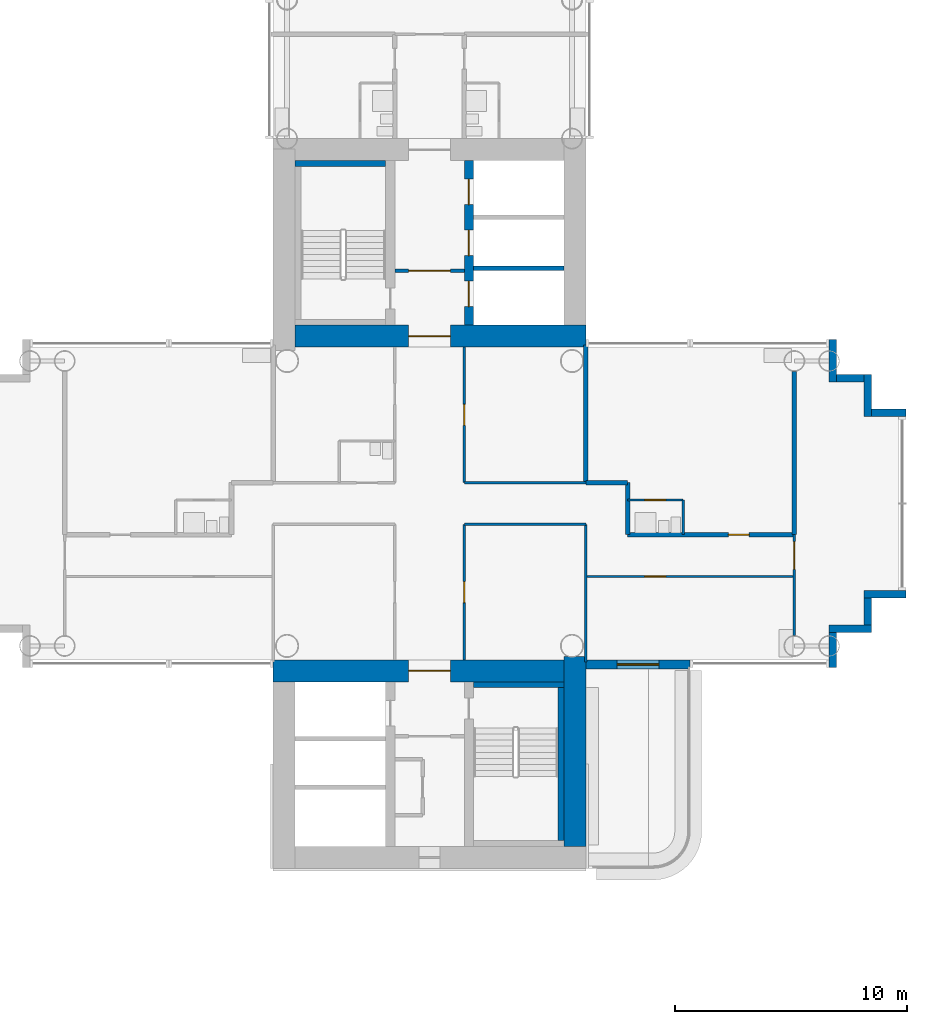
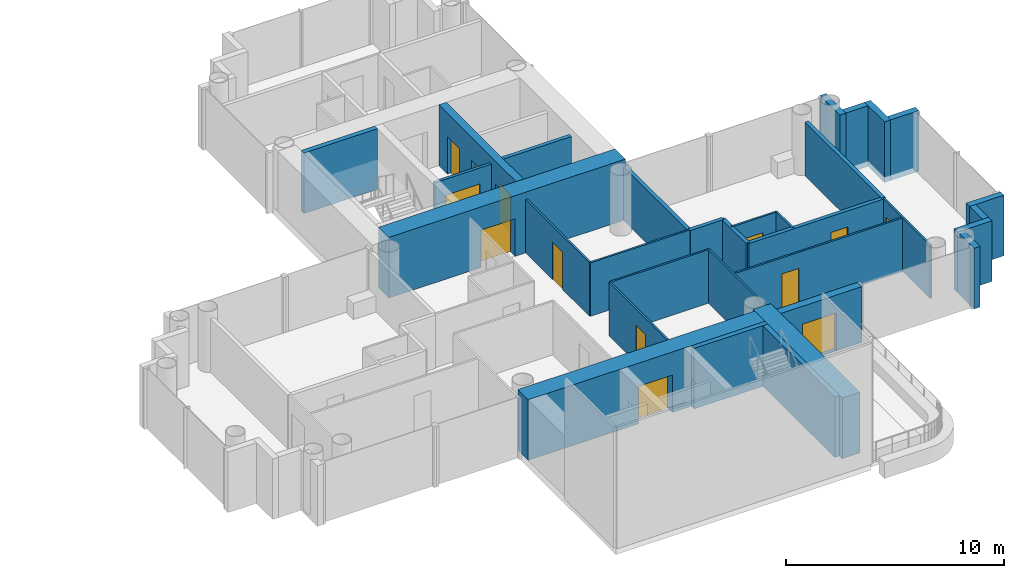
# One storey, part 13 of 21: 32 walls, 13 doors, 13 openings.
"""IFC4 building model written with IfcOpenShell, lengths in metres."""

from ifc_helpers import new_model, si_unit, direction, frame, frame_2d, origin, place, context, subcontext, project, spatial, rectangle, extrude, material, layer, layer_set, type_object, element, fill, save


model = new_model("IFC4")

# Units and contexts
model_context = context("Model", 3, precision=1e-05, world=origin(), true_north=direction((0.0, 1.0)))
body_context = subcontext(model_context, "Body", "Model", "MODEL_VIEW")
ifc_project = project(units=[si_unit("LENGTHUNIT", "METRE"), si_unit("AREAUNIT", "SQUARE_METRE"), si_unit("VOLUMEUNIT", "CUBIC_METRE"), si_unit("PLANEANGLEUNIT", "RADIAN"), si_unit("MASSUNIT", "GRAM", prefix="KILO")], contexts=[model_context])

# Site, building, storey
site_placement = place(None, origin())
site = spatial("IfcSite", under=ifc_project, at=site_placement, CompositionType="ELEMENT")
building_placement = place(site_placement, origin())
building = spatial("IfcBuilding", under=site, at=building_placement, Name="Ipe Terrace Towers", CompositionType="ELEMENT")
storey_placement = place(building_placement, frame((0.0, 0.0, 117.39990234375)))
storey = spatial("IfcBuildingStorey", under=building, at=storey_placement, Name="L32", CompositionType="ELEMENT", Elevation=117.39990234375)

# Wall, opening, door
ifc_material_1 = material(Name="Concrete C40/50 with buff precast cladding", Category="concrete")
ifc_layer_1 = layer(ifc_material_1, 0.39990234375)
ifc_layer_set_1 = layer_set([ifc_layer_1], Name="BALCONY BAY WALL 400")
wall_type_1 = type_object("IfcWallType", Name="BALCONY BAY WALL 400", PredefinedType="STANDARD", material=ifc_layer_set_1)
wall_1_placement = place(storey_placement, frame((42.75, -6.949951171875, -0.02001953125), z_axis=(0.0, 0.0, 1.0), x_axis=(1.0, 0.0, 0.0)))
wall_1 = element("IfcWall", 1, at=wall_1_placement, inside=storey, type_object=wall_type_1, Name="T2-W-L32-02a wall", PredefinedType="STANDARD", context=body_context, shape_type="SweptSolid", body=[
    extrude(rectangle(XDim=4.5, YDim=0.39990234375, at=frame_2d((2.25, 0.0))), origin(), (0.0, 0.0, 1.0), 3.1201171875),
])
opening_1_placement = place(wall_1_placement, frame((1.35009765625, 0.0, 0.02001953125)))
opening_1 = element("IfcOpeningElement", 2, at=opening_1_placement, cuts=wall_1, Name="Opening T2-D-L32-02", PredefinedType="OPENING", context=body_context, shape_type="SweptSolid", body=[
    extrude(rectangle(XDim=1.800048828125, YDim=2.10009765625, at=frame_2d((0.89990234375, 1.050048828125))), frame((0.0, 0.2099609375, 0.0), z_axis=(0.0, -1.0, 0.0), x_axis=(1.0, 0.0, 0.0)), (0.0, 0.0, 1.0), 0.419921875),
])
ifc_material_2 = material(Name="Aluminium alloy 6063-T6 framed glazed door", Category="aluminium")
door_type_1 = type_object("IfcDoorType", Name="BALCONY DOOR 1800 x 2100 RIGHT", OperationType="SINGLE_SWING_RIGHT", PredefinedType="DOOR", material=ifc_material_2)
door_1_placement = place(opening_1_placement, origin())
door_1 = element("IfcDoor", 3, at=door_1_placement, inside=storey, type_object=door_type_1, Name="DB2 door", OperationType="SINGLE_SWING_RIGHT", OverallHeight=2.10009765625, OverallWidth=1.800048828125, PredefinedType="DOOR", context=body_context, shape_type="SweptSolid", body=[
    extrude(rectangle(XDim=1.800048828125, YDim=2.10009765625, at=frame_2d((0.89990234375, 1.050048828125))), frame((0.0, 0.02490234375, 0.0), z_axis=(0.0, -1.0, 0.0), x_axis=(1.0, 0.0, 0.0)), (0.0, 0.0, 1.0), 0.050048828125),
])
fill(opening_1, door_1)

# Walls
ifc_material_3 = material(Name="Concrete C40/50 with buff precast cladding", Category="concrete")
ifc_layer_2 = layer(ifc_material_3, 0.320068359375)
ifc_layer_set_2 = layer_set([ifc_layer_2], Name="BUFF CLADDING WALL 320")
wall_type_2 = type_object("IfcWallType", Name="BUFF CLADDING WALL 320", PredefinedType="STANDARD", material=ifc_layer_set_2)
wall_2_placement = place(storey_placement, frame((53.409912109375, -7.070068359375, -0.2998046875), z_axis=(0.0, 0.0, 1.0), x_axis=(0.0, 1.0, 0.0)))
element("IfcWall", 4, at=wall_2_placement, inside=storey, type_object=wall_type_2, Name="T2-W-L32-04a wall", PredefinedType="STANDARD", context=body_context, shape_type="SweptSolid", body=[
    extrude(rectangle(XDim=1.5, YDim=0.320068359375, at=frame_2d((0.75, 0.0))), origin(), (0.0, 0.0, 1.0), 3.39990234375),
])
wall_3_placement = place(storey_placement, frame((53.25, -5.409912109375, -0.2998046875), z_axis=(0.0, 0.0, 1.0), x_axis=(1.0, 0.0, 0.0)))
element("IfcWall", 5, at=wall_3_placement, inside=storey, type_object=wall_type_2, Name="T2-W-L32-05a wall", PredefinedType="STANDARD", context=body_context, shape_type="SweptSolid", body=[
    extrude(rectangle(XDim=1.820068359375, YDim=0.320068359375, at=frame_2d((0.91015625, 0.0))), origin(), (0.0, 0.0, 1.0), 3.39990234375),
])
wall_4_placement = place(storey_placement, frame((54.909912109375, -5.25, -0.2998046875), z_axis=(0.0, 0.0, 1.0), x_axis=(0.0, 1.0, 0.0)))
element("IfcWall", 6, at=wall_4_placement, inside=storey, type_object=wall_type_2, Name="T2-W-L32-06a wall", PredefinedType="STANDARD", context=body_context, shape_type="SweptSolid", body=[
    extrude(rectangle(XDim=1.179931640625, YDim=0.320068359375, at=frame_2d((0.58984375, 0.0))), origin(), (0.0, 0.0, 1.0), 3.39990234375),
])
wall_5_placement = place(storey_placement, frame((54.75, -3.909912109375, -0.2998046875), z_axis=(0.0, 0.0, 1.0), x_axis=(1.0, 0.0, 0.0)))
element("IfcWall", 7, at=wall_5_placement, inside=storey, type_object=wall_type_2, Name="T2-W-L32-07a wall", PredefinedType="STANDARD", context=body_context, shape_type="SweptSolid", body=[
    extrude(rectangle(XDim=1.820068359375, YDim=0.320068359375, at=frame_2d((0.91015625, 0.0))), origin(), (0.0, 0.0, 1.0), 3.39990234375),
])
wall_6_placement = place(storey_placement, frame((56.570068359375, 3.909912109375, -0.2998046875), z_axis=(0.0, 0.0, 1.0), x_axis=(-1.0, 0.0, 0.0)))
element("IfcWall", 8, at=wall_6_placement, inside=storey, type_object=wall_type_2, Name="T2-W-L32-09a wall", PredefinedType="STANDARD", context=body_context, shape_type="SweptSolid", body=[
    extrude(rectangle(XDim=1.5, YDim=0.320068359375, at=frame_2d((0.75, 0.0))), origin(), (0.0, 0.0, 1.0), 3.39990234375),
])
wall_7_placement = place(storey_placement, frame((54.909912109375, 3.75, -0.2998046875), z_axis=(0.0, 0.0, 1.0), x_axis=(0.0, 1.0, 0.0)))
element("IfcWall", 9, at=wall_7_placement, inside=storey, type_object=wall_type_2, Name="T2-W-L32-10a wall", PredefinedType="STANDARD", context=body_context, shape_type="SweptSolid", body=[
    extrude(rectangle(XDim=1.820068359375, YDim=0.320068359375, at=frame_2d((0.91015625, 0.0))), origin(), (0.0, 0.0, 1.0), 3.39990234375),
])
wall_8_placement = place(storey_placement, frame((54.75, 5.409912109375, -0.2998046875), z_axis=(0.0, 0.0, 1.0), x_axis=(-1.0, 0.0, 0.0)))
element("IfcWall", 10, at=wall_8_placement, inside=storey, type_object=wall_type_2, Name="T2-W-L32-11a wall", PredefinedType="STANDARD", context=body_context, shape_type="SweptSolid", body=[
    extrude(rectangle(XDim=1.179931640625, YDim=0.320068359375, at=frame_2d((0.58984375, 0.0))), origin(), (0.0, 0.0, 1.0), 3.39990234375),
])
wall_9_placement = place(storey_placement, frame((53.409912109375, 5.25, -0.2998046875), z_axis=(0.0, 0.0, 1.0), x_axis=(0.0, 1.0, 0.0)))
element("IfcWall", 11, at=wall_9_placement, inside=storey, type_object=wall_type_2, Name="T2-W-L32-12a wall", PredefinedType="STANDARD", context=body_context, shape_type="SweptSolid", body=[
    extrude(rectangle(XDim=1.820068359375, YDim=0.320068359375, at=frame_2d((0.91015625, 0.0))), origin(), (0.0, 0.0, 1.0), 3.39990234375),
])

# Wall, opening, door
ifc_material_4 = material(Name="Gypsum board partition", Category="plasterboard")
ifc_layer_3 = layer(ifc_material_4, 0.10009765625)
ifc_layer_set_3 = layer_set([ifc_layer_3], Name="Gypsum board partition 100 mm")
wall_type_3 = type_object("IfcWallType", Name="Gypsum board partition 100 mm", PredefinedType="PARTITIONING", material=ifc_layer_set_3)
wall_10_placement = place(storey_placement, frame((51.75, -3.14990234375, 0.0), z_axis=(0.0, 0.0, 1.0), x_axis=(-1.0, 0.0, 0.0)))
wall_10 = element("IfcWall", 12, at=wall_10_placement, inside=storey, type_object=wall_type_3, Name="Gypsum board partition T2 L32 W01", PredefinedType="PARTITIONING", context=body_context, shape_type="SweptSolid", body=[
    extrude(rectangle(XDim=9.0, YDim=0.10009765625, at=frame_2d((4.5, 0.0))), origin(), (0.0, 0.0, 1.0), 3.0),
])
opening_2_placement = place(wall_10_placement, frame((5.550048828125, 0.0, 0.0)))
opening_2 = element("IfcOpeningElement", 13, at=opening_2_placement, cuts=wall_10, Name="Opening T2-Z2A-12", PredefinedType="OPENING", context=body_context, shape_type="SweptSolid", body=[
    extrude(rectangle(XDim=0.89990234375, YDim=2.10009765625, at=frame_2d((0.449951171875, 1.050048828125))), frame((0.0, 0.06005859375, 0.0), z_axis=(0.0, -1.0, 0.0), x_axis=(1.0, 0.0, 0.0)), (0.0, 0.0, 1.0), 0.1201171875),
])
ifc_material_5 = material(Name="Timber door leaf", Category="wood")
door_type_2 = type_object("IfcDoorType", Name="Lounge door 900 x 2100", OperationType="NOTDEFINED", PredefinedType="DOOR", material=ifc_material_5)
door_2_placement = place(opening_2_placement, origin())
door_2 = element("IfcDoor", 14, at=door_2_placement, inside=storey, type_object=door_type_2, Name="Lounge door T2-Z2A-12", OperationType="SINGLE_SWING_LEFT", OverallHeight=2.10009765625, OverallWidth=0.89990234375, PredefinedType="DOOR", context=body_context, shape_type="SweptSolid", body=[
    extrude(rectangle(XDim=0.89990234375, YDim=2.10009765625, at=frame_2d((0.449951171875, 1.050048828125))), frame((0.0, 0.02490234375, 0.0), z_axis=(0.0, -1.0, 0.0), x_axis=(1.0, 0.0, 0.0)), (0.0, 0.0, 1.0), 0.050048828125),
])
fill(opening_2, door_2)

# Wall
wall_11_placement = place(storey_placement, frame((42.75, -0.89990234375, 0.0), z_axis=(0.0, 0.0, 1.0), x_axis=(-1.0, 0.0, 0.0)))
element("IfcWall", 15, at=wall_11_placement, inside=storey, type_object=wall_type_3, Name="Gypsum board partition T2 L32 W05", PredefinedType="PARTITIONING", context=body_context, shape_type="SweptSolid", body=[
    extrude(rectangle(XDim=5.25, YDim=0.10009765625, at=frame_2d((2.625, 0.0))), origin(), (0.0, 0.0, 1.0), 3.0),
])

# Wall, opening, door
wall_12_placement = place(storey_placement, frame((46.949951171875, 0.14990234375, 0.0), z_axis=(0.0, 0.0, 1.0), x_axis=(-1.0, 0.0, 0.0)))
wall_12 = element("IfcWall", 16, at=wall_12_placement, inside=storey, type_object=wall_type_3, Name="Gypsum board partition T2 L32 W07", PredefinedType="PARTITIONING", context=body_context, shape_type="SweptSolid", body=[
    extrude(rectangle(XDim=2.39990234375, YDim=0.10009765625, at=frame_2d((1.199951171875, 0.0))), origin(), (0.0, 0.0, 1.0), 3.0),
])
opening_3_placement = place(wall_12_placement, frame((0.75, 0.0, 0.0)))
opening_3 = element("IfcOpeningElement", 17, at=opening_3_placement, cuts=wall_12, Name="Opening T2-Z2A-11", PredefinedType="OPENING", context=body_context, shape_type="SweptSolid", body=[
    extrude(rectangle(XDim=0.89990234375, YDim=2.10009765625, at=frame_2d((0.449951171875, 1.050048828125))), frame((0.0, 0.06005859375, 0.0), z_axis=(0.0, -1.0, 0.0), x_axis=(1.0, 0.0, 0.0)), (0.0, 0.0, 1.0), 0.1201171875),
])
ifc_material_6 = material(Name="Timber door leaf", Category="wood")
door_type_3 = type_object("IfcDoorType", Name="Bathroom door 900 x 2100", OperationType="NOTDEFINED", PredefinedType="DOOR", material=ifc_material_6)
door_3_placement = place(opening_3_placement, origin())
door_3 = element("IfcDoor", 18, at=door_3_placement, inside=storey, type_object=door_type_3, Name="Bathroom door T2-Z2A-11", OperationType="SINGLE_SWING_LEFT", OverallHeight=2.10009765625, OverallWidth=0.89990234375, PredefinedType="DOOR", context=body_context, shape_type="SweptSolid", body=[
    extrude(rectangle(XDim=0.89990234375, YDim=2.10009765625, at=frame_2d((0.449951171875, 1.050048828125))), frame((0.0, 0.02490234375, 0.0), z_axis=(0.0, -1.0, 0.0), x_axis=(1.0, 0.0, 0.0)), (0.0, 0.0, 1.0), 0.050048828125),
])
fill(opening_3, door_3)

# Wall
wall_13_placement = place(storey_placement, frame((42.75, 0.89990234375, 0.0), z_axis=(0.0, 0.0, 1.0), x_axis=(-1.0, 0.0, 0.0)))
element("IfcWall", 19, at=wall_13_placement, inside=storey, type_object=wall_type_3, Name="Gypsum board partition T2 L32 W09", PredefinedType="PARTITIONING", context=body_context, shape_type="SweptSolid", body=[
    extrude(rectangle(XDim=5.25, YDim=0.10009765625, at=frame_2d((2.625, 0.0))), origin(), (0.0, 0.0, 1.0), 3.0),
])

# Wall, opening, door
wall_14_placement = place(storey_placement, frame((51.75, -5.699951171875, 0.0), z_axis=(0.0, 0.0, 1.0), x_axis=(0.0, 1.0, 0.0)))
wall_14 = element("IfcWall", 20, at=wall_14_placement, inside=storey, type_object=wall_type_3, Name="Gypsum board partition T2 L32 W19", PredefinedType="PARTITIONING", context=body_context, shape_type="SweptSolid", body=[
    extrude(rectangle(XDim=4.349853515625, YDim=0.10009765625, at=frame_2d((2.1748046875, 0.0))), origin(), (0.0, 0.0, 1.0), 3.0),
])
opening_4_placement = place(wall_14_placement, frame((2.85009765625, 0.0, 0.0)))
opening_4 = element("IfcOpeningElement", 21, at=opening_4_placement, cuts=wall_14, Name="Opening T2-Z2A-13", PredefinedType="OPENING", context=body_context, shape_type="SweptSolid", body=[
    extrude(rectangle(XDim=1.199951171875, YDim=2.10009765625, at=frame_2d((0.60009765625, 1.050048828125))), frame((0.0, 0.06005859375, 0.0), z_axis=(0.0, -1.0, 0.0), x_axis=(1.0, 0.0, 0.0)), (0.0, 0.0, 1.0), 0.1201171875),
])
ifc_material_7 = material(Name="Timber door leaf", Category="wood")
door_type_4 = type_object("IfcDoorType", Name="Lounge door 1200 x 2100", OperationType="NOTDEFINED", PredefinedType="DOOR", material=ifc_material_7)
door_4_placement = place(opening_4_placement, origin())
door_4 = element("IfcDoor", 22, at=door_4_placement, inside=storey, type_object=door_type_4, Name="Lounge door T2-Z2A-13", OperationType="SINGLE_SWING_RIGHT", OverallHeight=2.10009765625, OverallWidth=1.199951171875, PredefinedType="DOOR", context=body_context, shape_type="SweptSolid", body=[
    extrude(rectangle(XDim=1.199951171875, YDim=2.10009765625, at=frame_2d((0.60009765625, 1.050048828125))), frame((0.0, 0.02490234375, 0.0), z_axis=(0.0, -1.0, 0.0), x_axis=(1.0, 0.0, 0.0)), (0.0, 0.0, 1.0), 0.050048828125),
])
fill(opening_4, door_4)

# Walls
wall_15_placement = place(storey_placement, frame((46.949951171875, -1.35009765625, 0.0), z_axis=(0.0, 0.0, 1.0), x_axis=(0.0, 1.0, 0.0)))
element("IfcWall", 23, at=wall_15_placement, inside=storey, type_object=wall_type_3, Name="Gypsum board partition T2 L32 W21", PredefinedType="PARTITIONING", context=body_context, shape_type="SweptSolid", body=[
    extrude(rectangle(XDim=1.5, YDim=0.10009765625, at=frame_2d((0.75, 0.0))), origin(), (0.0, 0.0, 1.0), 3.0),
])
wall_16_placement = place(storey_placement, frame((42.75, -6.85009765625, 0.0), z_axis=(0.0, 0.0, 1.0), x_axis=(0.0, 1.0, 0.0)))
element("IfcWall", 24, at=wall_16_placement, inside=storey, type_object=wall_type_3, Name="Gypsum board partition T2 L32 W23", PredefinedType="PARTITIONING", context=body_context, shape_type="SweptSolid", body=[
    extrude(rectangle(XDim=5.9501953125, YDim=0.10009765625, at=frame_2d((2.97509765625, 0.0))), origin(), (0.0, 0.0, 1.0), 3.0),
])

# Wall, opening, door
wall_17_placement = place(storey_placement, frame((37.5, -6.75, 0.0), z_axis=(0.0, 0.0, 1.0), x_axis=(0.0, 1.0, 0.0)))
wall_17 = element("IfcWall", 25, at=wall_17_placement, inside=storey, type_object=wall_type_3, Name="Gypsum board partition T2 L32 W26", PredefinedType="PARTITIONING", context=body_context, shape_type="SweptSolid", body=[
    extrude(rectangle(XDim=5.85009765625, YDim=0.10009765625, at=frame_2d((2.925048828125, 0.0))), origin(), (0.0, 0.0, 1.0), 3.0),
])
opening_5_placement = place(wall_17_placement, frame((2.47509765625, 0.0, 0.0)))
opening_5 = element("IfcOpeningElement", 26, at=opening_5_placement, cuts=wall_17, Name="Opening T2-Z2A-04", PredefinedType="OPENING", context=body_context, shape_type="SweptSolid", body=[
    extrude(rectangle(XDim=0.89990234375, YDim=2.10009765625, at=frame_2d((0.449951171875, 1.050048828125))), frame((0.0, 0.06005859375, 0.0), z_axis=(0.0, -1.0, 0.0), x_axis=(1.0, 0.0, 0.0)), (0.0, 0.0, 1.0), 0.1201171875),
])
door_5_placement = place(opening_5_placement, origin())
door_5 = element("IfcDoor", 27, at=door_5_placement, inside=storey, type_object=door_type_2, Name="Lounge door T2-Z2A-04", OperationType="SINGLE_SWING_LEFT", OverallHeight=2.10009765625, OverallWidth=0.89990234375, PredefinedType="DOOR", context=body_context, shape_type="SweptSolid", body=[
    extrude(rectangle(XDim=0.89990234375, YDim=2.10009765625, at=frame_2d((0.449951171875, 1.050048828125))), frame((0.0, 0.02490234375, 0.0), z_axis=(0.0, -1.0, 0.0), x_axis=(1.0, 0.0, 0.0)), (0.0, 0.0, 1.0), 0.050048828125),
])
fill(opening_5, door_5)

wall_18_placement = place(storey_placement, frame((37.5, 0.89990234375, 0.0), z_axis=(0.0, 0.0, 1.0), x_axis=(0.0, 1.0, 0.0)))
wall_18 = element("IfcWall", 28, at=wall_18_placement, inside=storey, type_object=wall_type_3, Name="Gypsum board partition T2 L32 W27", PredefinedType="PARTITIONING", context=body_context, shape_type="SweptSolid", body=[
    extrude(rectangle(XDim=5.85009765625, YDim=0.10009765625, at=frame_2d((2.925048828125, 0.0))), origin(), (0.0, 0.0, 1.0), 3.0),
])
opening_6_placement = place(wall_18_placement, frame((2.47509765625, 0.0, 0.0)))
opening_6 = element("IfcOpeningElement", 29, at=opening_6_placement, cuts=wall_18, Name="Opening T2-Z2A-05", PredefinedType="OPENING", context=body_context, shape_type="SweptSolid", body=[
    extrude(rectangle(XDim=0.89990234375, YDim=2.10009765625, at=frame_2d((0.449951171875, 1.050048828125))), frame((0.0, 0.06005859375, 0.0), z_axis=(0.0, -1.0, 0.0), x_axis=(1.0, 0.0, 0.0)), (0.0, 0.0, 1.0), 0.1201171875),
])
door_6_placement = place(opening_6_placement, origin())
door_6 = element("IfcDoor", 30, at=door_6_placement, inside=storey, type_object=door_type_2, Name="Lounge door T2-Z2A-05", OperationType="SINGLE_SWING_RIGHT", OverallHeight=2.10009765625, OverallWidth=0.89990234375, PredefinedType="DOOR", context=body_context, shape_type="SweptSolid", body=[
    extrude(rectangle(XDim=0.89990234375, YDim=2.10009765625, at=frame_2d((0.449951171875, 1.050048828125))), frame((0.0, 0.02490234375, 0.0), z_axis=(0.0, -1.0, 0.0), x_axis=(1.0, 0.0, 0.0)), (0.0, 0.0, 1.0), 0.050048828125),
])
fill(opening_6, door_6)

ifc_material_8 = material(Name="Gypsum board partition", Category="plasterboard")
ifc_layer_4 = layer(ifc_material_8, 0.14990234375)
ifc_layer_set_4 = layer_set([ifc_layer_4], Name="Gypsum board partition 150 mm")
wall_type_4 = type_object("IfcWallType", Name="Gypsum board partition 150 mm", PredefinedType="PARTITIONING", material=ifc_layer_set_4)
wall_19_placement = place(storey_placement, frame((37.5, 10.050048828125, 0.0), z_axis=(0.0, 0.0, 1.0), x_axis=(-1.0, 0.0, 0.0)))
wall_19 = element("IfcWall", 31, at=wall_19_placement, inside=storey, type_object=wall_type_4, Name="Gypsum board partition T2 L32 t2c1-lobby-wall", PredefinedType="PARTITIONING", context=body_context, shape_type="SweptSolid", body=[
    extrude(rectangle(XDim=3.0, YDim=0.14990234375, at=frame_2d((1.5, 0.0))), origin(), (0.0, 0.0, 1.0), 3.0),
])
opening_7_placement = place(wall_19_placement, frame((0.60009765625, 0.0, 0.0)))
opening_7 = element("IfcOpeningElement", 32, at=opening_7_placement, cuts=wall_19, Name="Opening T2C1-VD", PredefinedType="OPENING", context=body_context, shape_type="SweptSolid", body=[
    extrude(rectangle(XDim=1.800048828125, YDim=2.10009765625, at=frame_2d((0.89990234375, 1.050048828125))), frame((0.0, 0.0849609375, 0.0), z_axis=(0.0, -1.0, 0.0), x_axis=(1.0, 0.0, 0.0)), (0.0, 0.0, 1.0), 0.169921875),
])
ifc_material_9 = material(Name="Fire-rated timber door leaf", Category="wood")
door_type_5 = type_object("IfcDoorType", Name="Lobby door 1800 x 2100 FD60", OperationType="NOTDEFINED", PredefinedType="DOOR", material=ifc_material_9)
door_7_placement = place(opening_7_placement, origin())
door_7 = element("IfcDoor", 33, at=door_7_placement, inside=storey, type_object=door_type_5, Name="Lobby door T2C1-VD", OperationType="SINGLE_SWING_LEFT", OverallHeight=2.10009765625, OverallWidth=1.800048828125, PredefinedType="DOOR", context=body_context, shape_type="SweptSolid", body=[
    extrude(rectangle(XDim=1.800048828125, YDim=2.10009765625, at=frame_2d((0.89990234375, 1.050048828125))), frame((0.0, 0.02490234375, 0.0), z_axis=(0.0, -1.0, 0.0), x_axis=(1.0, 0.0, 0.0)), (0.0, 0.0, 1.0), 0.050048828125),
])
fill(opening_7, door_7)

# Wall
ifc_material_10 = material(Name="Gypsum board party wall", Category="plasterboard")
ifc_layer_5 = layer(ifc_material_10, 0.199951171875)
ifc_layer_set_5 = layer_set([ifc_layer_5], Name="Gypsum board party wall 200 mm")
wall_type_5 = type_object("IfcWallType", Name="Gypsum board party wall 200 mm", PredefinedType="SOLIDWALL", material=ifc_layer_set_5)
wall_20_placement = place(storey_placement, frame((41.800048828125, 10.14990234375, 0.0), z_axis=(0.0, 0.0, 1.0), x_axis=(-1.0, 0.0, 0.0)))
element("IfcWall", 34, at=wall_20_placement, inside=storey, type_object=wall_type_5, Name="Gypsum board party wall T2 L32 t2c1-shaft-div1", PredefinedType="SOLIDWALL", context=body_context, shape_type="SweptSolid", body=[
    extrude(rectangle(XDim=3.900146484375, YDim=0.199951171875, at=frame_2d((1.9501953125, 0.0))), origin(), (0.0, 0.0, 1.0), 3.0),
])

# Wall, opening, door
wall_21_placement = place(storey_placement, frame((51.75, -1.35009765625, 0.0), z_axis=(0.0, 0.0, 1.0), x_axis=(-1.0, 0.0, 0.0)))
wall_21 = element("IfcWall", 35, at=wall_21_placement, inside=storey, type_object=wall_type_5, Name="Gypsum board party wall T2 L32 W03", PredefinedType="SOLIDWALL", context=body_context, shape_type="SweptSolid", body=[
    extrude(rectangle(XDim=7.199951171875, YDim=0.199951171875, at=frame_2d((3.60009765625, 0.0))), origin(), (0.0, 0.0, 1.0), 3.0),
])
opening_8_placement = place(wall_21_placement, frame((1.949951171875, 0.0, 0.0)))
opening_8 = element("IfcOpeningElement", 36, at=opening_8_placement, cuts=wall_21, Name="Opening T2-Z2A-10", PredefinedType="OPENING", context=body_context, shape_type="SweptSolid", body=[
    extrude(rectangle(XDim=0.89990234375, YDim=2.10009765625, at=frame_2d((0.449951171875, 1.050048828125))), frame((0.0, 0.10986328125, 0.0), z_axis=(0.0, -1.0, 0.0), x_axis=(1.0, 0.0, 0.0)), (0.0, 0.0, 1.0), 0.219970703125),
])
ifc_material_11 = material(Name="Fire-rated timber door leaf", Category="wood")
door_type_6 = type_object("IfcDoorType", Name="Flat entrance door 900 x 2100 FD30S", OperationType="NOTDEFINED", PredefinedType="DOOR", material=ifc_material_11)
door_8_placement = place(opening_8_placement, origin())
door_8 = element("IfcDoor", 37, at=door_8_placement, inside=storey, type_object=door_type_6, Name="Flat entrance door T2-Z2A-10", OperationType="SINGLE_SWING_LEFT", OverallHeight=2.10009765625, OverallWidth=0.89990234375, PredefinedType="DOOR", context=body_context, shape_type="SweptSolid", body=[
    extrude(rectangle(XDim=0.89990234375, YDim=2.10009765625, at=frame_2d((0.449951171875, 1.050048828125))), frame((0.0, 0.02490234375, 0.0), z_axis=(0.0, -1.0, 0.0), x_axis=(1.0, 0.0, 0.0)), (0.0, 0.0, 1.0), 0.050048828125),
])
fill(opening_8, door_8)

# Walls
wall_22_placement = place(storey_placement, frame((44.550048828125, 0.89990234375, 0.0), z_axis=(0.0, 0.0, 1.0), x_axis=(-1.0, 0.0, 0.0)))
element("IfcWall", 38, at=wall_22_placement, inside=storey, type_object=wall_type_5, Name="Gypsum board party wall T2 L32 W11", PredefinedType="SOLIDWALL", context=body_context, shape_type="SweptSolid", body=[
    extrude(rectangle(XDim=1.800048828125, YDim=0.199951171875, at=frame_2d((0.89990234375, 0.0))), origin(), (0.0, 0.0, 1.0), 3.0),
])
wall_23_placement = place(storey_placement, frame((51.75, -1.35009765625, 0.0), z_axis=(0.0, 0.0, 1.0), x_axis=(0.0, 1.0, 0.0)))
element("IfcWall", 39, at=wall_23_placement, inside=storey, type_object=wall_type_5, Name="Gypsum board party wall T2 L32 W20", PredefinedType="SOLIDWALL", context=body_context, shape_type="SweptSolid", body=[
    extrude(rectangle(XDim=7.050048828125, YDim=0.199951171875, at=frame_2d((3.52490234375, 0.0))), origin(), (0.0, 0.0, 1.0), 3.0),
])
wall_24_placement = place(storey_placement, frame((44.550048828125, -1.35009765625, 0.0), z_axis=(0.0, 0.0, 1.0), x_axis=(0.0, 1.0, 0.0)))
element("IfcWall", 40, at=wall_24_placement, inside=storey, type_object=wall_type_5, Name="Gypsum board party wall T2 L32 W22", PredefinedType="SOLIDWALL", context=body_context, shape_type="SweptSolid", body=[
    extrude(rectangle(XDim=2.25, YDim=0.199951171875, at=frame_2d((1.125, 0.0))), origin(), (0.0, 0.0, 1.0), 3.0),
])
wall_25_placement = place(storey_placement, frame((42.75, 0.89990234375, 0.0), z_axis=(0.0, 0.0, 1.0), x_axis=(0.0, 1.0, 0.0)))
element("IfcWall", 41, at=wall_25_placement, inside=storey, type_object=wall_type_5, Name="Gypsum board party wall T2 L32 W24", PredefinedType="SOLIDWALL", context=body_context, shape_type="SweptSolid", body=[
    extrude(rectangle(XDim=5.9501953125, YDim=0.199951171875, at=frame_2d((2.97509765625, 0.0))), origin(), (0.0, 0.0, 1.0), 3.0),
])
ifc_material_12 = material(Name="Concrete C50/60", Category="concrete")
ifc_layer_6 = layer(ifc_material_12, 0.25)
ifc_layer_set_6 = layer_set([ifc_layer_6], Name="RW250 CORE INFILL WALL 250 C50-60")
wall_type_6 = type_object("IfcWallType", Name="RW250 CORE INFILL WALL 250 C50-60", PredefinedType="SHEAR", material=ifc_layer_set_6)
wall_26_placement = place(storey_placement, frame((34.10009765625, 14.675048828125, 0.0), z_axis=(0.0, 0.0, 1.0), x_axis=(-1.0, 0.0, 0.0)))
element("IfcWall", 42, at=wall_26_placement, inside=storey, type_object=wall_type_6, Name="Core infill wall T2-C1-far", PredefinedType="SHEAR", context=body_context, shape_type="SweptSolid", body=[
    extrude(rectangle(XDim=3.900146484375, YDim=0.25, at=frame_2d((1.9501953125, 0.0))), origin(), (0.0, 0.0, 1.0), 3.400146484375),
])
wall_27_placement = place(storey_placement, frame((41.675048828125, -7.949951171875, 0.0), z_axis=(0.0, 0.0, 1.0), x_axis=(0.0, -1.0, 0.0)))
element("IfcWall", 43, at=wall_27_placement, inside=storey, type_object=wall_type_6, Name="Core infill wall T2-C2-back", PredefinedType="SHEAR", context=body_context, shape_type="SweptSolid", body=[
    extrude(rectangle(XDim=6.60009765625, YDim=0.25, at=frame_2d((3.300048828125, 0.0))), origin(), (0.0, 0.0, 1.0), 3.400146484375),
])
wall_28_placement = place(storey_placement, frame((37.89990234375, -7.824951171875, 0.0), z_axis=(0.0, 0.0, 1.0), x_axis=(1.0, 0.0, 0.0)))
element("IfcWall", 44, at=wall_28_placement, inside=storey, type_object=wall_type_6, Name="Core infill wall T2-C2-near", PredefinedType="SHEAR", context=body_context, shape_type="SweptSolid", body=[
    extrude(rectangle(XDim=3.900146484375, YDim=0.25, at=frame_2d((1.9501953125, 0.0))), origin(), (0.0, 0.0, 1.0), 3.400146484375),
])

# Wall, openings, doors
ifc_material_13 = material(Name="Concrete C50/60", Category="concrete")
ifc_layer_7 = layer(ifc_material_13, 0.39990234375)
ifc_layer_set_7 = layer_set([ifc_layer_7], Name="RW400 CORE SPINE WALL 400 C50-60")
wall_type_7 = type_object("IfcWallType", Name="RW400 CORE SPINE WALL 400 C50-60", PredefinedType="SHEAR", material=ifc_layer_set_7)
wall_29_placement = place(storey_placement, frame((37.699951171875, 7.699951171875, 0.0), z_axis=(0.0, 0.0, 1.0), x_axis=(0.0, 1.0, 0.0)))
wall_29 = element("IfcWall", 45, at=wall_29_placement, inside=storey, type_object=wall_type_7, Name="Core spine wall T2-C1-Z2-SW2", PredefinedType="SHEAR", context=body_context, shape_type="SweptSolid", body=[
    extrude(rectangle(XDim=7.10009765625, YDim=0.39990234375, at=frame_2d((3.550048828125, 0.0))), origin(), (0.0, 0.0, 1.0), 3.400146484375),
])
opening_9_placement = place(wall_29_placement, frame((0.800048828125, 0.0, 0.0)))
opening_9 = element("IfcOpeningElement", 46, at=opening_9_placement, cuts=wall_29, Name="Opening T2C1-LD1", PredefinedType="OPENING", context=body_context, shape_type="SweptSolid", body=[
    extrude(rectangle(XDim=1.10009765625, YDim=2.10009765625, at=frame_2d((0.550048828125, 1.050048828125))), frame((0.0, 0.2099609375, 0.0), z_axis=(0.0, -1.0, 0.0), x_axis=(1.0, 0.0, 0.0)), (0.0, 0.0, 1.0), 0.419921875),
])
opening_10_placement = place(wall_29_placement, frame((3.0, 0.0, 0.0)))
opening_10 = element("IfcOpeningElement", 47, at=opening_10_placement, cuts=wall_29, Name="Opening T2C1-LD2", PredefinedType="OPENING", context=body_context, shape_type="SweptSolid", body=[
    extrude(rectangle(XDim=1.10009765625, YDim=2.10009765625, at=frame_2d((0.550048828125, 1.050048828125))), frame((0.0, 0.2099609375, 0.0), z_axis=(0.0, -1.0, 0.0), x_axis=(1.0, 0.0, 0.0)), (0.0, 0.0, 1.0), 0.419921875),
])
opening_11_placement = place(wall_29_placement, frame((5.199951171875, 0.0, 0.0)))
opening_11 = element("IfcOpeningElement", 48, at=opening_11_placement, cuts=wall_29, Name="Opening T2C1-LD3", PredefinedType="OPENING", context=body_context, shape_type="SweptSolid", body=[
    extrude(rectangle(XDim=1.10009765625, YDim=2.10009765625, at=frame_2d((0.550048828125, 1.050048828125))), frame((0.0, 0.2099609375, 0.0), z_axis=(0.0, -1.0, 0.0), x_axis=(1.0, 0.0, 0.0)), (0.0, 0.0, 1.0), 0.419921875),
])
ifc_material_14 = material(Name="Fire-rated timber door leaf", Category="wood")
door_type_7 = type_object("IfcDoorType", Name="Sliding door 1100 x 2100 FD60", OperationType="SLIDING_TO_LEFT", PredefinedType="DOOR", material=ifc_material_14)
door_9_placement = place(opening_9_placement, origin())
door_9 = element("IfcDoor", 49, at=door_9_placement, inside=storey, type_object=door_type_7, Name="Sliding door T2C1-LD1", OperationType="SLIDING_TO_LEFT", OverallHeight=2.10009765625, OverallWidth=1.10009765625, PredefinedType="DOOR", context=body_context, shape_type="SweptSolid", body=[
    extrude(rectangle(XDim=1.10009765625, YDim=2.10009765625, at=frame_2d((0.550048828125, 1.050048828125))), frame((0.0, 0.02490234375, 0.0), z_axis=(0.0, -1.0, 0.0), x_axis=(1.0, 0.0, 0.0)), (0.0, 0.0, 1.0), 0.050048828125),
])
fill(opening_9, door_9)
door_10_placement = place(opening_10_placement, origin())
door_10 = element("IfcDoor", 50, at=door_10_placement, inside=storey, type_object=door_type_7, Name="Sliding door T2C1-LD2", OperationType="SLIDING_TO_LEFT", OverallHeight=2.10009765625, OverallWidth=1.10009765625, PredefinedType="DOOR", context=body_context, shape_type="SweptSolid", body=[
    extrude(rectangle(XDim=1.10009765625, YDim=2.10009765625, at=frame_2d((0.550048828125, 1.050048828125))), frame((0.0, 0.02490234375, 0.0), z_axis=(0.0, -1.0, 0.0), x_axis=(1.0, 0.0, 0.0)), (0.0, 0.0, 1.0), 0.050048828125),
])
fill(opening_10, door_10)
door_11_placement = place(opening_11_placement, origin())
door_11 = element("IfcDoor", 51, at=door_11_placement, inside=storey, type_object=door_type_7, Name="Sliding door T2C1-LD3", OperationType="SLIDING_TO_LEFT", OverallHeight=2.10009765625, OverallWidth=1.10009765625, PredefinedType="DOOR", context=body_context, shape_type="SweptSolid", body=[
    extrude(rectangle(XDim=1.10009765625, YDim=2.10009765625, at=frame_2d((0.550048828125, 1.050048828125))), frame((0.0, 0.02490234375, 0.0), z_axis=(0.0, -1.0, 0.0), x_axis=(1.0, 0.0, 0.0)), (0.0, 0.0, 1.0), 0.050048828125),
])
fill(opening_11, door_11)

# Wall, opening, door
ifc_material_15 = material(Name="Concrete C50/60", Category="concrete")
ifc_layer_8 = layer(ifc_material_15, 0.949951171875)
ifc_layer_set_8 = layer_set([ifc_layer_8], Name="RW950 CORE WALL 950 C50-60")
wall_type_8 = type_object("IfcWallType", Name="RW950 CORE WALL 950 C50-60", PredefinedType="SHEAR", material=ifc_layer_set_8)
wall_30_placement = place(storey_placement, frame((30.199951171875, 7.22509765625, 0.0), z_axis=(0.0, 0.0, 1.0), x_axis=(1.0, 0.0, 0.0)))
wall_30 = element("IfcWall", 52, at=wall_30_placement, inside=storey, type_object=wall_type_8, Name="Core wall T2-C1-Z2-W01", PredefinedType="SHEAR", context=body_context, shape_type="SweptSolid", body=[
    extrude(rectangle(XDim=12.550048828125, YDim=0.949951171875, at=frame_2d((6.27490234375, 0.0))), origin(), (0.0, 0.0, 1.0), 3.400146484375),
])
opening_12_placement = place(wall_30_placement, frame((4.89990234375, 0.0, 0.0)))
opening_12 = element("IfcOpeningElement", 53, at=opening_12_placement, cuts=wall_30, Name="Opening T2C1-ND", PredefinedType="OPENING", context=body_context, shape_type="SweptSolid", body=[
    extrude(rectangle(XDim=1.800048828125, YDim=2.10009765625, at=frame_2d((0.89990234375, 1.050048828125))), frame((0.0, 0.48486328125, 0.0), z_axis=(0.0, -1.0, 0.0), x_axis=(1.0, 0.0, 0.0)), (0.0, 0.0, 1.0), 0.969970703125),
])
ifc_material_16 = material(Name="Fire-rated timber door leaf", Category="wood")
door_type_8 = type_object("IfcDoorType", Name="Fire door 1800 x 2100 FD30S", OperationType="NOTDEFINED", PredefinedType="DOOR", material=ifc_material_16)
door_12_placement = place(opening_12_placement, origin())
door_12 = element("IfcDoor", 54, at=door_12_placement, inside=storey, type_object=door_type_8, Name="Fire door T2C1-ND", OperationType="SINGLE_SWING_LEFT", OverallHeight=2.10009765625, OverallWidth=1.800048828125, PredefinedType="DOOR", context=body_context, shape_type="SweptSolid", body=[
    extrude(rectangle(XDim=1.800048828125, YDim=2.10009765625, at=frame_2d((0.89990234375, 1.050048828125))), frame((0.0, 0.02490234375, 0.0), z_axis=(0.0, -1.0, 0.0), x_axis=(1.0, 0.0, 0.0)), (0.0, 0.0, 1.0), 0.050048828125),
])
fill(opening_12, door_12)

# Wall
wall_31_placement = place(storey_placement, frame((42.27490234375, -14.800048828125, 0.0), z_axis=(0.0, 0.0, 1.0), x_axis=(0.0, 1.0, 0.0)))
element("IfcWall", 55, at=wall_31_placement, inside=storey, type_object=wall_type_8, Name="Core wall T2-C2-Z2-W02", PredefinedType="SHEAR", context=body_context, shape_type="SweptSolid", body=[
    extrude(rectangle(XDim=8.197998046875, YDim=0.949951171875, at=frame_2d((4.09912109375, 0.0))), origin(), (0.0, 0.0, 1.0), 3.400146484375),
])

# Wall, opening, door
wall_32_placement = place(storey_placement, frame((41.800048828125, -7.22509765625, 0.0), z_axis=(0.0, 0.0, 1.0), x_axis=(-1.0, 0.0, 0.0)))
wall_32 = element("IfcWall", 56, at=wall_32_placement, inside=storey, type_object=wall_type_8, Name="Core wall T2-C2-Z2-W03", PredefinedType="SHEAR", context=body_context, shape_type="SweptSolid", body=[
    extrude(rectangle(XDim=12.550048828125, YDim=0.949951171875, at=frame_2d((6.27490234375, 0.0))), origin(), (0.0, 0.0, 1.0), 3.400146484375),
])
opening_13_placement = place(wall_32_placement, frame((4.89990234375, 0.0, 0.0)))
opening_13 = element("IfcOpeningElement", 57, at=opening_13_placement, cuts=wall_32, Name="Opening T2C2-ND", PredefinedType="OPENING", context=body_context, shape_type="SweptSolid", body=[
    extrude(rectangle(XDim=1.800048828125, YDim=2.10009765625, at=frame_2d((0.89990234375, 1.050048828125))), frame((0.0, 0.48486328125, 0.0), z_axis=(0.0, -1.0, 0.0), x_axis=(1.0, 0.0, 0.0)), (0.0, 0.0, 1.0), 0.969970703125),
])
door_13_placement = place(opening_13_placement, origin())
door_13 = element("IfcDoor", 58, at=door_13_placement, inside=storey, type_object=door_type_8, Name="Fire door T2C2-ND", OperationType="SINGLE_SWING_LEFT", OverallHeight=2.10009765625, OverallWidth=1.800048828125, PredefinedType="DOOR", context=body_context, shape_type="SweptSolid", body=[
    extrude(rectangle(XDim=1.800048828125, YDim=2.10009765625, at=frame_2d((0.89990234375, 1.050048828125))), frame((0.0, 0.02490234375, 0.0), z_axis=(0.0, -1.0, 0.0), x_axis=(1.0, 0.0, 0.0)), (0.0, 0.0, 1.0), 0.050048828125),
])
fill(opening_13, door_13)

save(model, "model.ifc")
